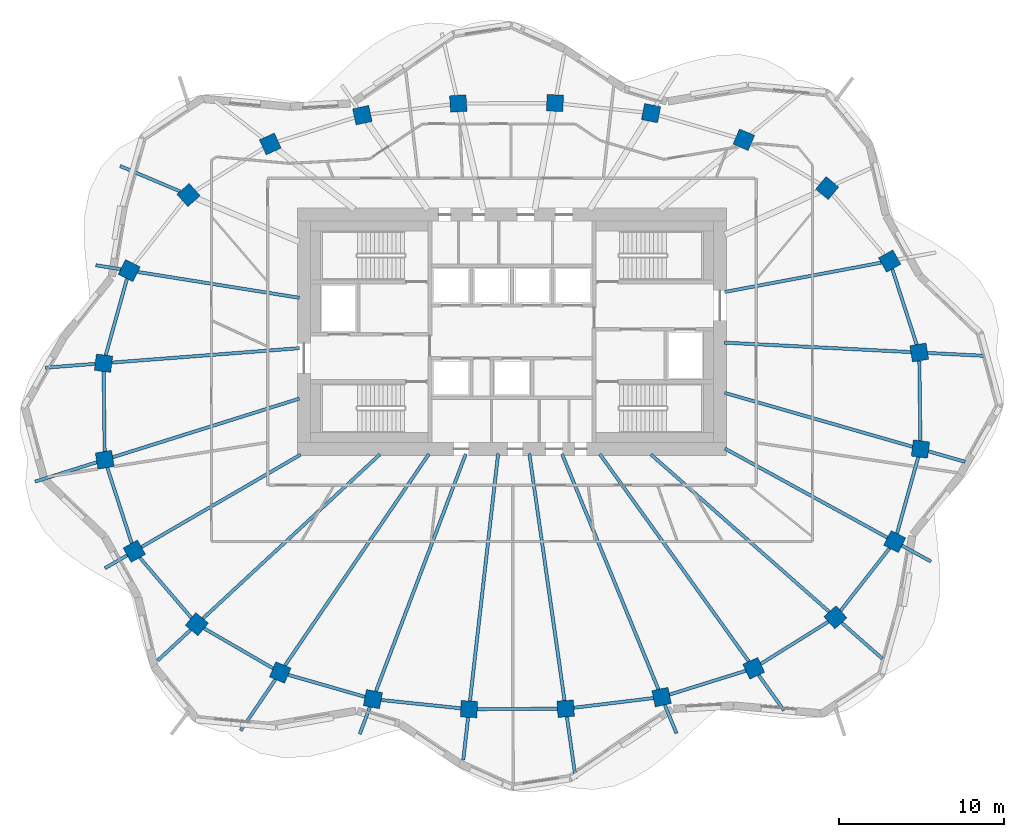
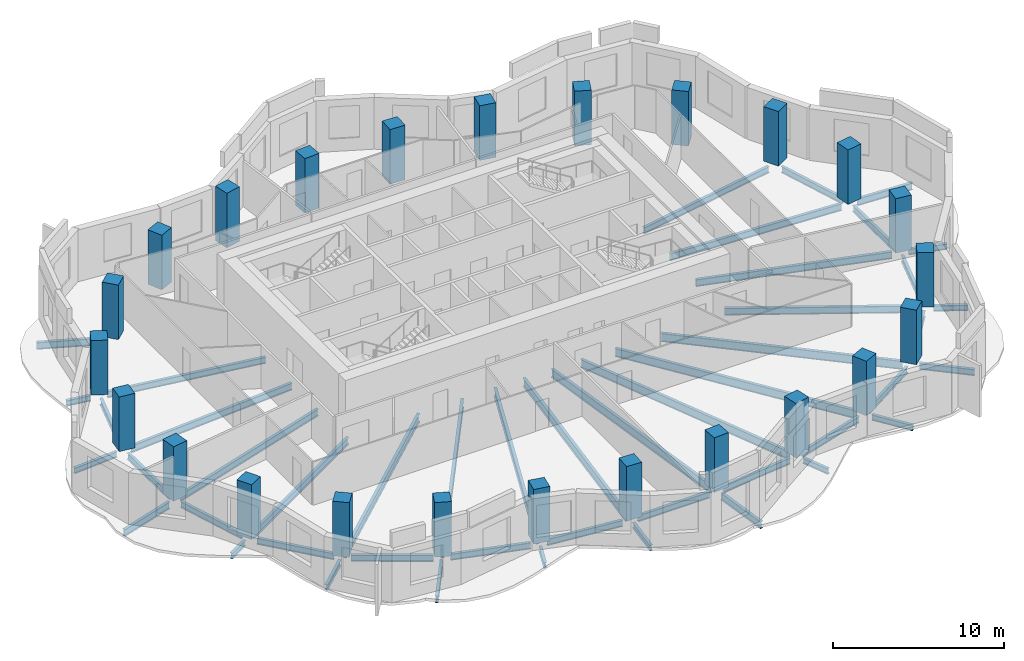
# One storey, part 1 of 9: 47 beams, 24 columns.
"""IFC4 building model written with IfcOpenShell, lengths in metres."""

import ifcopenshell
import ifcopenshell.guid

model = None  # the IFC model being written
_history = None  # IfcOwnerHistory: only IFC2X3 demands one
_inside = {}  # id of a spatial element -> (the spatial element, [elements in it])
_under = {}  # id of a project, library or spatial element -> (it, [spatial elements below it])
_declared = {}  # id of a project -> (the project, [libraries it declares])
_typed = {}  # id of a type object -> (the type object, [elements of that type])
_made_of = {}  # id of a material, layer set ... -> (it, [elements and type objects made of it])


def new_model(schema):
    """Start an empty IFC model of exactly this schema.

    Asked for "IFC4X3", IfcOpenShell would pick the latest addendum, in which some entities
    have other attributes; the version numbers below select the first issue.
    IFC2X3 requires an IfcOwnerHistory on every rooted entity: one is made here for all.
    """
    global model, _history
    if schema == "IFC4X3":
        model = ifcopenshell.file(schema_version=(4, 3, 0, 0))
    else:
        model = ifcopenshell.file(schema=schema)
    _inside.clear()
    _under.clear()
    _declared.clear()
    _typed.clear()
    _made_of.clear()
    _history = None
    if model.schema == "IFC2X3":
        org = make("IfcOrganization", Name="unknown")
        user = make(
            "IfcPersonAndOrganization",
            ThePerson=make("IfcPerson", FamilyName="unknown"),
            TheOrganization=org,
        )
        app = make(
            "IfcApplication",
            ApplicationDeveloper=org,
            Version="unknown",
            ApplicationFullName="unknown",
            ApplicationIdentifier="unknown",
        )
        _history = make(
            "IfcOwnerHistory",
            OwningUser=user,
            OwningApplication=app,
            ChangeAction="ADDED",
            CreationDate=0,
        )
    return model


def make(cls, **values):
    """One entity of the class cls with the attributes given. An attribute that is None is left unset."""
    return model.create_entity(
        cls, **{name: value for name, value in values.items() if value is not None}
    )


def rooted(cls, **values):
    """An entity with a GlobalId (a new one), such as an element, a storey or a relation."""
    return make(cls, GlobalId=ifcopenshell.guid.new(), OwnerHistory=_history, **values)


def si_unit(unit_type, name, prefix=None):
    """IfcSIUnit, for example si_unit("LENGTHUNIT", "METRE", prefix="MILLI")."""
    return make("IfcSIUnit", UnitType=unit_type, Prefix=prefix, Name=name)


def assignment(units):
    """IfcUnitAssignment: the units of a project."""
    return None if units is None else make("IfcUnitAssignment", Units=units)


def point(xyz):
    """IfcCartesianPoint."""
    return None if xyz is None else make("IfcCartesianPoint", Coordinates=xyz)


def direction(xyz):
    """IfcDirection."""
    return None if xyz is None else make("IfcDirection", DirectionRatios=xyz)


def frame(location, z_axis=None, x_axis=None):
    """IfcAxis2Placement3D, a coordinate frame: its origin and axes. An axis left out is left unset."""
    return make(
        "IfcAxis2Placement3D",
        Location=point(location),
        Axis=direction(z_axis),
        RefDirection=direction(x_axis),
    )


def frame_2d(location, x_axis=None):
    """IfcAxis2Placement2D, a coordinate frame in the plane: its origin and x axis."""
    return make(
        "IfcAxis2Placement2D", Location=point(location), RefDirection=direction(x_axis)
    )


def origin():
    """The frame at (0, 0, 0) with its axes left unset."""
    return frame((0.0, 0.0, 0.0))


def origin_2d():
    """The frame at (0, 0) in the plane with its x axis left unset."""
    return frame_2d((0.0, 0.0))


def place(relative_to, where):
    """IfcLocalPlacement: puts the frame where relative to a parent placement (None: the world)."""
    return make(
        "IfcLocalPlacement", PlacementRelTo=relative_to, RelativePlacement=where
    )


def context(
    kind, dimensions, precision=None, world=None, true_north=None, identifier=None
):
    """IfcGeometricRepresentationContext, for example the 3D "Model" context."""
    return make(
        "IfcGeometricRepresentationContext",
        ContextIdentifier=identifier,
        ContextType=kind,
        CoordinateSpaceDimension=dimensions,
        Precision=precision,
        WorldCoordinateSystem=world,
        TrueNorth=true_north,
    )


def subcontext(parent, identifier, kind, view, scale=None):
    """IfcGeometricRepresentationSubContext, for example "Body" below "Model"."""
    return make(
        "IfcGeometricRepresentationSubContext",
        ContextIdentifier=identifier,
        ContextType=kind,
        ParentContext=parent,
        TargetScale=scale,
        TargetView=view,
    )


def project(units=None, contexts=None):
    """IfcProject with its units and contexts."""
    return rooted(
        "IfcProject",
        Name="project",
        RepresentationContexts=contexts,
        UnitsInContext=assignment(units),
    )


def spatial(cls, under=None, at=None, **own):
    """A site, building, storey or space (cls), placed at a placement, below another one or the project."""
    s = rooted(cls, ObjectPlacement=at, **own)
    if under is not None:
        _under.setdefault(under.id(), (under, []))[1].append(s)
    return s


def profile(cls, at=None, kind="AREA", **sizes):
    """A parametric profile (cls). Its sizes go by their IFC names, for example OverallWidth=200.0."""
    return make(cls, ProfileType=kind, Position=at, **sizes)


def rectangle(**sizes):
    """IfcRectangleProfileDef."""
    return profile("IfcRectangleProfileDef", **sizes)


def i_section(**sizes):
    """IfcIShapeProfileDef."""
    return profile("IfcIShapeProfileDef", **sizes)


def extrude(swept, where, along, depth):
    """IfcExtrudedAreaSolid: the profile swept, set in the frame where, extruded along a direction by depth."""
    return make(
        "IfcExtrudedAreaSolid",
        SweptArea=swept,
        Position=where,
        ExtrudedDirection=direction(along),
        Depth=depth,
    )


def shape(context_of_items, identifier, shape_type, items):
    """IfcShapeRepresentation: the items that make up one representation, for example the "Body"."""
    return make(
        "IfcShapeRepresentation",
        ContextOfItems=context_of_items,
        RepresentationIdentifier=identifier,
        RepresentationType=shape_type,
        Items=items,
    )


def material(Name=None, Category=None):
    """IfcMaterial."""
    return make("IfcMaterial", Name=Name, Category=Category)


def material_profile(
    of_material, cross_section, Name=None, Category=None, Priority=None
):
    """IfcMaterialProfile: a cross section and its material."""
    return make(
        "IfcMaterialProfile",
        Name=Name,
        Material=of_material,
        Profile=cross_section,
        Priority=Priority,
        Category=Category,
    )


def profile_set(profiles, Name=None, composite=None):
    """IfcMaterialProfileSet."""
    return make(
        "IfcMaterialProfileSet",
        Name=Name,
        MaterialProfiles=profiles,
        CompositeProfile=composite,
    )


def made_of(thing, what):
    """Note that an element or type object is made of a material, layer set ...; save() writes the relation."""
    if what is not None:
        _made_of.setdefault(what.id(), (what, []))[1].append(thing)
    return thing


def type_object(cls, material=None, **own):
    """A type object (cls), such as IfcWallType, which elements share."""
    return made_of(rooted(cls, **own), material)


def element(
    cls,
    number,
    at=None,
    inside=None,
    cuts=None,
    type_object=None,
    material=None,
    context=None,
    identifier="Body",
    shape_type=None,
    held_by="IfcProductDefinitionShape",
    body=None,
    shapes=None,
    **own,
):
    """One element of the class cls, such as IfcWall. Its Tag is "e" and its number.

    at: its placement. inside: the storey or other place that contains it. cuts: it is an
    opening in that element (IfcRelVoidsElement). A single representation is given by context,
    identifier, shape_type and body (its items); several are given by shapes. held_by: the class
    of the entity that holds the representations. save() writes the other relations.
    """
    e = rooted(cls, Tag="e%d" % number, ObjectPlacement=at, **own)
    if body is not None:
        shapes = [shape(context, identifier, shape_type, body)]
    if shapes is not None:
        e.Representation = make(held_by, Representations=shapes)
    if inside is not None:
        _inside.setdefault(inside.id(), (inside, []))[1].append(e)
    if cuts is not None:
        rooted(
            "IfcRelVoidsElement", RelatingBuildingElement=cuts, RelatedOpeningElement=e
        )
    if type_object is not None:
        _typed.setdefault(type_object.id(), (type_object, []))[1].append(e)
    return made_of(e, material)


def aggregate(whole, parts):
    """IfcRelAggregates: a whole, such as a stair, and the parts it consists of."""
    return rooted("IfcRelAggregates", RelatingObject=whole, RelatedObjects=parts)


def save(model, path):
    """Write the relations noted so far, then the file.

    IfcRelAggregates (storeys below a building ...), IfcRelContainedInSpatialStructure (elements
    in a storey), IfcRelDefinesByType, IfcRelAssociatesMaterial and IfcRelDeclares: one each for
    every whole, place, type object, material and project.
    """
    for whole, parts in _under.values():
        aggregate(whole, parts)
    for where, things in _inside.values():
        rooted(
            "IfcRelContainedInSpatialStructure",
            RelatedElements=things,
            RelatingStructure=where,
        )
    for kind, things in _typed.values():
        rooted("IfcRelDefinesByType", RelatedObjects=things, RelatingType=kind)
    for what, things in _made_of.values():
        rooted("IfcRelAssociatesMaterial", RelatedObjects=things, RelatingMaterial=what)
    for by, libraries in _declared.values():
        rooted("IfcRelDeclares", RelatingContext=by, RelatedDefinitions=libraries)
    model.write(path)


model = new_model("IFC4")

# Units and contexts
model_context = context("Model", 3, precision=1e-05, world=origin(), true_north=direction((0.0, 1.0)))
body_context = subcontext(model_context, "Body", "Model", "MODEL_VIEW")
ifc_project = project(units=[si_unit("LENGTHUNIT", "METRE"), si_unit("AREAUNIT", "SQUARE_METRE"), si_unit("VOLUMEUNIT", "CUBIC_METRE"), si_unit("PLANEANGLEUNIT", "RADIAN"), si_unit("MASSUNIT", "GRAM", prefix="KILO")], contexts=[model_context])

# Site, building, storey
site_placement = place(None, origin())
site = spatial("IfcSite", under=ifc_project, at=site_placement, CompositionType="ELEMENT")
building_placement = place(site_placement, origin())
building = spatial("IfcBuilding", under=site, at=building_placement, Name="Rubra Terraces Tower", CompositionType="ELEMENT")
storey_placement = place(building_placement, frame((0.0, 0.0, 229.199951171875)))
storey = spatial("IfcBuildingStorey", under=building, at=storey_placement, Name="L56", CompositionType="ELEMENT", Elevation=229.199951171875)

# Columns
ifc_material_1 = material(Name="Concrete C50", Category="concrete")
ifc_material_profile_1 = material_profile(ifc_material_1, rectangle(XDim=1.0, YDim=1.0, at=origin_2d()), Name="RC 1000x1000")
ifc_profile_set_1 = profile_set([ifc_material_profile_1], Name="Concrete C50")
column_type = type_object("IfcColumnType", Name="RING COLUMN RC 1000x1000 C50", PredefinedType="COLUMN", material=ifc_profile_set_1)
for number, where, z_axis, x_axis, name in (
    (1, (24.6689453125, 3.248046875, 0.0), (0.0, 0.0, 1.0), (-0.161559167715, 0.986863027642, 0.0), "column-L56-ring-01"),
    (2, (22.87890625, 8.787109375, 0.0), (0.0, 0.0, 1.0), (-0.48852601316, 0.872549330678, 0.0), "column-L56-ring-02"),
    (3, (19.092041015625, 13.208984375, 0.0), (0.0, 0.0, 1.0), (-0.76886986222, 0.63940529789, 0.0), "column-L56-ring-03"),
    (4, (14.0419921875, 16.135986328125, 0.0), (0.0, 0.0, 1.0), (-0.920167856842, 0.391524092789, 0.0), "column-L56-ring-04"),
    (5, (8.422119140625, 17.7490234375, 0.0), (0.0, 0.0, 1.0), (-0.981654668733, 0.19066754143, 0.0), "column-L56-ring-05"),
    (6, (2.60205078125, 18.35791015625, 0.0), (0.0, 0.0, 1.0), (-0.998764256028, 0.049698700995, 0.0), "column-L56-ring-06"),
    (7, (-3.25390625, 18.330078125, 0.0), (0.0, 0.0, 1.0), (-0.998031548759, -0.062713855578, 0.0), "column-L56-ring-07"),
    (8, (-9.06298828125, 17.625, 0.0), (0.0, 0.0, 1.0), (-0.977652674797, -0.210226657352, 0.0), "column-L56-ring-08"),
    (9, (-14.64306640625, 15.881103515625, 0.0), (0.0, 0.0, 1.0), (-0.908778580451, -0.417278673927, 0.0), "column-L56-ring-09"),
    (10, (-19.593017578125, 12.7900390625, 0.0), (0.0, 0.0, 1.0), (-0.744021317198, -0.668155879683, 0.0), "column-L56-ring-10"),
    (11, (-23.18505859375, 8.2099609375, 0.0), (0.0, 0.0, 1.0), (-0.451027931402, -0.892509834733, 0.0), "column-L56-ring-11"),
    (12, (-24.742919921875, 2.59912109375, 0.0), (0.0, 0.0, 1.0), (-0.128443684554, -0.991716804283, 0.0), "column-L56-ring-12"),
    (13, (-24.6689453125, -3.248046875, 0.0), (0.0, 0.0, 1.0), (0.161559167715, -0.986863027642, 0.0), "column-L56-ring-13"),
    (14, (-22.87890625, -8.787109375, 0.0), (0.0, 0.0, 1.0), (0.48852601316, -0.872549330678, 0.0), "column-L56-ring-14"),
    (15, (-19.092041015625, -13.208984375, 0.0), (0.0, 0.0, 1.0), (0.76886986222, -0.63940529789, 0.0), "column-L56-ring-15"),
    (16, (-14.0419921875, -16.135986328125, 0.0), (0.0, 0.0, 1.0), (0.920167856842, -0.391524092789, 0.0), "column-L56-ring-16"),
    (17, (-8.422119140625, -17.7490234375, 0.0), (0.0, 0.0, 1.0), (0.981654668733, -0.19066754143, 0.0), "column-L56-ring-17"),
    (18, (-2.60205078125, -18.35791015625, 0.0), (0.0, 0.0, 1.0), (0.998764256028, -0.049698700995, 0.0), "column-L56-ring-18"),
    (19, (3.25390625, -18.330078125, 0.0), (0.0, 0.0, 1.0), (0.998031548759, 0.062713855578, 0.0), "column-L56-ring-19"),
    (20, (9.06298828125, -17.625, 0.0), (0.0, 0.0, 1.0), (0.977652674797, 0.210226657352, 0.0), "column-L56-ring-20"),
    (21, (14.64306640625, -15.881103515625, 0.0), (0.0, 0.0, 1.0), (0.908778580451, 0.417278673927, 0.0), "column-L56-ring-21"),
    (22, (19.593017578125, -12.7900390625, 0.0), (0.0, 0.0, 1.0), (0.744021317198, 0.668155879683, 0.0), "column-L56-ring-22"),
    (23, (23.18505859375, -8.2099609375, 0.0), (0.0, 0.0, 1.0), (0.451027931402, 0.892509834733, 0.0), "column-L56-ring-23"),
    (24, (24.742919921875, -2.59912109375, 0.0), (0.0, 0.0, 1.0), (0.128443684554, 0.991716804283, 0.0), "column-L56-ring-24"),
):
    element("IfcColumn", number, at=place(storey_placement, frame(where, z_axis=z_axis, x_axis=x_axis)), inside=storey, type_object=column_type, Name=name, PredefinedType="COLUMN", context=body_context, shape_type="SweptSolid", body=[
        extrude(rectangle(XDim=1.0, YDim=1.0, at=origin_2d()), origin(), (0.0, 0.0, 1.0), 3.900146484375),
    ])

# Beams
ifc_material_2 = material(Name="Steel Q355B", Category="steel")
ifc_material_profile_2 = material_profile(ifc_material_2, i_section(OverallWidth=0.199951171875, OverallDepth=0.39990234375, WebThickness=0.008056640625, FlangeThickness=0.012939453125, at=origin_2d()), Name="HN 400x200x8x13")
ifc_profile_set_2 = profile_set([ifc_material_profile_2], Name="Steel Q355B")
beam_type_1 = type_object("IfcBeamType", Name="CANTILEVER BEAM HN 400x200x8x13", PredefinedType="BEAM", material=ifc_profile_set_2)
beam_1_placement = place(storey_placement, frame((-23.702880859375, 8.29296875, -0.39990234375), z_axis=(-0.987457595878, 0.15788443984, 0.0), x_axis=(-0.15788443984, -0.987457595878, 0.0)))
element("IfcBeam", 25, at=beam_1_placement, inside=storey, type_object=beam_type_1, Name="beam-L56-cant-11", PredefinedType="BEAM", context=body_context, shape_type="SweptSolid", body=[
    extrude(i_section(OverallWidth=0.199951171875, OverallDepth=0.39990234375, WebThickness=0.008056640625, FlangeThickness=0.012939453125, at=origin_2d()), origin(), (0.0, 0.0, 1.0), 1.526123046875),
])
beam_2_placement = place(storey_placement, frame((-25.251953125, 2.56005859375, -0.39990234375), z_axis=(-0.997072601127, -0.076460630923, 0.0), x_axis=(0.076460630923, -0.997072601127, 0.0)))
element("IfcBeam", 26, at=beam_2_placement, inside=storey, type_object=beam_type_1, Name="beam-L56-cant-12", PredefinedType="BEAM", context=body_context, shape_type="SweptSolid", body=[
    extrude(i_section(OverallWidth=0.199951171875, OverallDepth=0.39990234375, WebThickness=0.008056640625, FlangeThickness=0.012939453125, at=origin_2d()), origin(), (0.0, 0.0, 1.0), 3.0078125),
])
beam_3_placement = place(storey_placement, frame((-23.31103515625, -9.0380859375, -0.39990234375), z_axis=(-0.864659295888, -0.502358738387, 0.0), x_axis=(0.502358738387, -0.864659295888, 0.0)))
element("IfcBeam", 27, at=beam_3_placement, inside=storey, type_object=beam_type_1, Name="beam-L56-cant-14", PredefinedType="BEAM", context=body_context, shape_type="SweptSolid", body=[
    extrude(i_section(OverallWidth=0.199951171875, OverallDepth=0.39990234375, WebThickness=0.008056640625, FlangeThickness=0.012939453125, at=origin_2d()), origin(), (0.0, 0.0, 1.0), 1.556640625),
])
beam_4_placement = place(storey_placement, frame((-19.4619140625, -13.552001953125, -0.39990234375), z_axis=(-0.733087511933, -0.680134324856, 0.0), x_axis=(0.680134324856, -0.733087511933, 0.0)))
element("IfcBeam", 28, at=beam_4_placement, inside=storey, type_object=beam_type_1, Name="beam-L56-cant-15", PredefinedType="BEAM", context=body_context, shape_type="SweptSolid", body=[
    extrude(i_section(OverallWidth=0.199951171875, OverallDepth=0.39990234375, WebThickness=0.008056640625, FlangeThickness=0.012939453125, at=origin_2d()), origin(), (0.0, 0.0, 1.0), 2.72021484375),
])
beam_5_placement = place(storey_placement, frame((-8.60205078125, -18.222900390625, -0.39990234375), z_axis=(-0.353652069822, -0.935377043502, 0.0), x_axis=(0.935377043502, -0.353652069822, 0.0)))
element("IfcBeam", 29, at=beam_5_placement, inside=storey, type_object=beam_type_1, Name="beam-L56-cant-17", PredefinedType="BEAM", context=body_context, shape_type="SweptSolid", body=[
    extrude(i_section(OverallWidth=0.199951171875, OverallDepth=0.39990234375, WebThickness=0.008056640625, FlangeThickness=0.012939453125, at=origin_2d()), origin(), (0.0, 0.0, 1.0), 1.755615234375),
])
beam_6_placement = place(storey_placement, frame((-2.658935546875, -18.85595703125, -0.39990234375), z_axis=(-0.112928755401, -0.993603087859, 0.0), x_axis=(0.993603087859, -0.112928755401, 0.0)))
element("IfcBeam", 30, at=beam_6_placement, inside=storey, type_object=beam_type_1, Name="beam-L56-cant-18", PredefinedType="BEAM", context=body_context, shape_type="SweptSolid", body=[
    extrude(i_section(OverallWidth=0.199951171875, OverallDepth=0.39990234375, WebThickness=0.008056640625, FlangeThickness=0.012939453125, at=origin_2d()), origin(), (0.0, 0.0, 1.0), 2.585693359375),
])
beam_7_placement = place(storey_placement, frame((9.256103515625, -18.094970703125, -0.39990234375), z_axis=(0.37867364733, -0.925530263588, 0.0), x_axis=(0.925530263588, 0.37867364733, 0.0)))
element("IfcBeam", 31, at=beam_7_placement, inside=storey, type_object=beam_type_1, Name="beam-L56-cant-20", PredefinedType="BEAM", context=body_context, shape_type="SweptSolid", body=[
    extrude(i_section(OverallWidth=0.199951171875, OverallDepth=0.39990234375, WebThickness=0.008056640625, FlangeThickness=0.012939453125, at=origin_2d()), origin(), (0.0, 0.0, 1.0), 1.864013671875),
])
beam_8_placement = place(storey_placement, frame((14.93994140625, -16.294921875, -0.39990234375), z_axis=(0.583494905514, -0.812116799013, 0.0), x_axis=(0.812116799013, 0.583494905514, 0.0)))
element("IfcBeam", 32, at=beam_8_placement, inside=storey, type_object=beam_type_1, Name="beam-L56-cant-21", PredefinedType="BEAM", context=body_context, shape_type="SweptSolid", body=[
    extrude(i_section(OverallWidth=0.199951171875, OverallDepth=0.39990234375, WebThickness=0.008056640625, FlangeThickness=0.012939453125, at=origin_2d()), origin(), (0.0, 0.0, 1.0), 2.6376953125),
])
beam_9_placement = place(storey_placement, frame((23.6240234375, -8.449951171875, -0.39990234375), z_axis=(0.876885480476, -0.480699338601, 0.0), x_axis=(0.480699338601, 0.876885480476, 0.0)))
element("IfcBeam", 33, at=beam_9_placement, inside=storey, type_object=beam_type_1, Name="beam-L56-cant-23", PredefinedType="BEAM", context=body_context, shape_type="SweptSolid", body=[
    extrude(i_section(OverallWidth=0.199951171875, OverallDepth=0.39990234375, WebThickness=0.008056640625, FlangeThickness=0.012939453125, at=origin_2d()), origin(), (0.0, 0.0, 1.0), 1.9990234375),
])
beam_10_placement = place(storey_placement, frame((25.22900390625, -2.738037109375, -0.39990234375), z_axis=(0.961119526587, -0.276132677554, 0.0), x_axis=(0.276132677554, 0.961119526587, 0.0)))
element("IfcBeam", 34, at=beam_10_placement, inside=storey, type_object=beam_type_1, Name="beam-L56-cant-24", PredefinedType="BEAM", context=body_context, shape_type="SweptSolid", body=[
    extrude(i_section(OverallWidth=0.199951171875, OverallDepth=0.39990234375, WebThickness=0.008056640625, FlangeThickness=0.012939453125, at=origin_2d()), origin(), (0.0, 0.0, 1.0), 2.306640625),
])
ifc_material_profile_3 = material_profile(ifc_material_2, i_section(OverallWidth=0.198974609375, OverallDepth=0.446044921875, WebThickness=0.008056640625, FlangeThickness=0.011962890625, at=origin_2d()), Name="HN 446x199x8x12")
ifc_profile_set_3 = profile_set([ifc_material_profile_3], Name="Steel Q355B")
beam_type_2 = type_object("IfcBeamType", Name="CANTILEVER BEAM HN 446x199x8x12", PredefinedType="BEAM", material=ifc_profile_set_3)
beam_11_placement = place(storey_placement, frame((19.969970703125, -13.123046875, -0.4228515625), z_axis=(0.749902745466, -0.661548087702, 0.0), x_axis=(0.661548087702, 0.749902745466, 0.0)))
element("IfcBeam", 35, at=beam_11_placement, inside=storey, type_object=beam_type_2, Name="beam-L56-cant-22", PredefinedType="BEAM", context=body_context, shape_type="SweptSolid", body=[
    extrude(i_section(OverallWidth=0.198974609375, OverallDepth=0.446044921875, WebThickness=0.008056640625, FlangeThickness=0.011962890625, at=origin_2d()), origin(), (0.0, 0.0, 1.0), 3.293701171875),
])
ifc_material_profile_4 = material_profile(ifc_material_2, i_section(OverallWidth=0.198974609375, OverallDepth=0.49609375, WebThickness=0.009033203125, FlangeThickness=0.013916015625, at=origin_2d()), Name="HN 496x199x9x14")
ifc_profile_set_4 = profile_set([ifc_material_profile_4], Name="Steel Q355B")
beam_type_3 = type_object("IfcBeamType", Name="CANTILEVER BEAM HN 496x199x9x14", PredefinedType="BEAM", material=ifc_profile_set_4)
beam_12_placement = place(storey_placement, frame((25.179931640625, 3.221923828125, -0.447998046875), z_axis=(0.998713760082, -0.050703307804, 0.0), x_axis=(0.050703307804, 0.998713760082, 0.0)))
element("IfcBeam", 36, at=beam_12_placement, inside=storey, type_object=beam_type_3, Name="beam-L56-cant-01", PredefinedType="BEAM", context=body_context, shape_type="SweptSolid", body=[
    extrude(i_section(OverallWidth=0.198974609375, OverallDepth=0.49609375, WebThickness=0.009033203125, FlangeThickness=0.013916015625, at=origin_2d()), origin(), (0.0, 0.0, 1.0), 3.625732421875),
])
beam_13_placement = place(storey_placement, frame((-20.10205078125, 13.0048828125, -0.447998046875), z_axis=(-0.920935678628, 0.389714608181, 0.0), x_axis=(-0.389714608181, -0.920935678628, 0.0)))
element("IfcBeam", 37, at=beam_13_placement, inside=storey, type_object=beam_type_3, Name="beam-L56-cant-10", PredefinedType="BEAM", context=body_context, shape_type="SweptSolid", body=[
    extrude(i_section(OverallWidth=0.198974609375, OverallDepth=0.49609375, WebThickness=0.009033203125, FlangeThickness=0.013916015625, at=origin_2d()), origin(), (0.0, 0.0, 1.0), 3.94921875),
])
beam_14_placement = place(storey_placement, frame((-25.15087890625, -3.39892578125, -0.447998046875), z_axis=(-0.954029392864, -0.299713058693, 0.0), x_axis=(0.299713058693, -0.954029392864, 0.0)))
element("IfcBeam", 38, at=beam_14_placement, inside=storey, type_object=beam_type_3, Name="beam-L56-cant-13", PredefinedType="BEAM", context=body_context, shape_type="SweptSolid", body=[
    extrude(i_section(OverallWidth=0.198974609375, OverallDepth=0.49609375, WebThickness=0.009033203125, FlangeThickness=0.013916015625, at=origin_2d()), origin(), (0.0, 0.0, 1.0), 3.9140625),
])
beam_15_placement = place(storey_placement, frame((-14.3291015625, -16.556884765625, -0.447998046875), z_axis=(-0.562402665117, -0.826863496757, 0.0), x_axis=(0.826863496757, -0.562402665117, 0.0)))
element("IfcBeam", 39, at=beam_15_placement, inside=storey, type_object=beam_type_3, Name="beam-L56-cant-16", PredefinedType="BEAM", context=body_context, shape_type="SweptSolid", body=[
    extrude(i_section(OverallWidth=0.198974609375, OverallDepth=0.49609375, WebThickness=0.009033203125, FlangeThickness=0.013916015625, at=origin_2d()), origin(), (0.0, 0.0, 1.0), 3.748046875),
])
beam_16_placement = place(storey_placement, frame((3.324951171875, -18.826904296875, -0.447998046875), z_axis=(0.140976698225, -0.990012914339, 0.0), x_axis=(0.990012914339, 0.140976698225, 0.0)))
element("IfcBeam", 40, at=beam_16_placement, inside=storey, type_object=beam_type_3, Name="beam-L56-cant-19", PredefinedType="BEAM", context=body_context, shape_type="SweptSolid", body=[
    extrude(i_section(OverallWidth=0.198974609375, OverallDepth=0.49609375, WebThickness=0.009033203125, FlangeThickness=0.013916015625, at=origin_2d()), origin(), (0.0, 0.0, 1.0), 3.7666015625),
])
ifc_material_profile_5 = material_profile(ifc_material_2, i_section(OverallWidth=0.198974609375, OverallDepth=0.446044921875, WebThickness=0.008056640625, FlangeThickness=0.011962890625, at=origin_2d()), Name="HN 446x199x8x12")
ifc_profile_set_5 = profile_set([ifc_material_profile_5], Name="Steel Q355B")
beam_type_4 = type_object("IfcBeamType", Name="FLOOR BEAM HN 446x199x8x12", PredefinedType="BEAM", material=ifc_profile_set_5)
beam_17_placement = place(storey_placement, frame((22.360107421875, 8.68994140625, -0.4228515625), z_axis=(-0.982895681695, -0.18416318553, 0.0), x_axis=(0.18416318553, -0.982895681695, 0.0)))
element("IfcBeam", 41, at=beam_17_placement, inside=storey, type_object=beam_type_4, Name="beam-L56-floor-02", PredefinedType="BEAM", context=body_context, shape_type="SweptSolid", body=[
    extrude(i_section(OverallWidth=0.198974609375, OverallDepth=0.446044921875, WebThickness=0.008056640625, FlangeThickness=0.011962890625, at=origin_2d()), origin(), (0.0, 0.0, 1.0), 9.64306640625),
])
beam_18_placement = place(storey_placement, frame((-22.6669921875, 8.126953125, -0.4228515625), z_axis=(0.987435404133, -0.158023171289, 0.0), x_axis=(0.158023171289, 0.987435404133, 0.0)))
element("IfcBeam", 42, at=beam_18_placement, inside=storey, type_object=beam_type_4, Name="beam-L56-floor-11", PredefinedType="BEAM", context=body_context, shape_type="SweptSolid", body=[
    extrude(i_section(OverallWidth=0.198974609375, OverallDepth=0.446044921875, WebThickness=0.008056640625, FlangeThickness=0.011962890625, at=origin_2d()), origin(), (0.0, 0.0, 1.0), 9.909423828125),
])
ifc_material_profile_6 = material_profile(ifc_material_2, i_section(OverallWidth=0.198974609375, OverallDepth=0.49609375, WebThickness=0.009033203125, FlangeThickness=0.013916015625, at=origin_2d()), Name="HN 496x199x9x14")
ifc_profile_set_6 = profile_set([ifc_material_profile_6], Name="Steel Q355B")
beam_type_5 = type_object("IfcBeamType", Name="FLOOR BEAM HN 496x199x9x14", PredefinedType="BEAM", material=ifc_profile_set_6)
beam_19_placement = place(storey_placement, frame((24.157958984375, 3.27392578125, -0.447998046875), z_axis=(-0.998716228561, 0.050654662269, 0.0), x_axis=(-0.050654662269, -0.998716228561, 0.0)))
element("IfcBeam", 43, at=beam_19_placement, inside=storey, type_object=beam_type_5, Name="beam-L56-floor-01", PredefinedType="BEAM", context=body_context, shape_type="SweptSolid", body=[
    extrude(i_section(OverallWidth=0.198974609375, OverallDepth=0.49609375, WebThickness=0.009033203125, FlangeThickness=0.013916015625, at=origin_2d()), origin(), (0.0, 0.0, 1.0), 11.29248046875),
])
beam_20_placement = place(storey_placement, frame((-24.23388671875, 2.637939453125, -0.447998046875), z_axis=(0.997063306908, 0.076581734234, 0.0), x_axis=(-0.076581734234, 0.997063306908, 0.0)))
element("IfcBeam", 44, at=beam_20_placement, inside=storey, type_object=beam_type_5, Name="beam-L56-floor-12", PredefinedType="BEAM", context=body_context, shape_type="SweptSolid", body=[
    extrude(i_section(OverallWidth=0.198974609375, OverallDepth=0.49609375, WebThickness=0.009033203125, FlangeThickness=0.013916015625, at=origin_2d()), origin(), (0.0, 0.0, 1.0), 11.387451171875),
])
beam_21_placement = place(storey_placement, frame((-24.18701171875, -3.096923828125, -0.447998046875), z_axis=(0.954040699023, 0.299677067204, 0.0), x_axis=(-0.299677067204, 0.954040699023, 0.0)))
element("IfcBeam", 45, at=beam_21_placement, inside=storey, type_object=beam_type_5, Name="beam-L56-floor-13", PredefinedType="BEAM", context=body_context, shape_type="SweptSolid", body=[
    extrude(i_section(OverallWidth=0.198974609375, OverallDepth=0.49609375, WebThickness=0.009033203125, FlangeThickness=0.013916015625, at=origin_2d()), origin(), (0.0, 0.0, 1.0), 11.845458984375),
])
beam_22_placement = place(storey_placement, frame((-22.447021484375, -8.535888671875, -0.447998046875), z_axis=(0.864755491844, 0.502193129508, 0.0), x_axis=(-0.502193129508, 0.864755491844, 0.0)))
element("IfcBeam", 46, at=beam_22_placement, inside=storey, type_object=beam_type_5, Name="beam-L56-floor-14", PredefinedType="BEAM", context=body_context, shape_type="SweptSolid", body=[
    extrude(i_section(OverallWidth=0.198974609375, OverallDepth=0.49609375, WebThickness=0.009033203125, FlangeThickness=0.013916015625, at=origin_2d()), origin(), (0.0, 0.0, 1.0), 11.14306640625),
])
beam_23_placement = place(storey_placement, frame((22.74609375, -7.969970703125, -0.447998046875), z_axis=(-0.876862055903, 0.480742066932, 0.0), x_axis=(-0.480742066932, -0.876862055903, 0.0)))
element("IfcBeam", 47, at=beam_23_placement, inside=storey, type_object=beam_type_5, Name="beam-L56-floor-23", PredefinedType="BEAM", context=body_context, shape_type="SweptSolid", body=[
    extrude(i_section(OverallWidth=0.198974609375, OverallDepth=0.49609375, WebThickness=0.009033203125, FlangeThickness=0.013916015625, at=origin_2d()), origin(), (0.0, 0.0, 1.0), 11.234375),
])
beam_24_placement = place(storey_placement, frame((24.257080078125, -2.4599609375, -0.447998046875), z_axis=(-0.961215754667, 0.275797521707, 0.0), x_axis=(-0.275797521707, -0.961215754667, 0.0)))
element("IfcBeam", 48, at=beam_24_placement, inside=storey, type_object=beam_type_5, Name="beam-L56-floor-24", PredefinedType="BEAM", context=body_context, shape_type="SweptSolid", body=[
    extrude(i_section(OverallWidth=0.198974609375, OverallDepth=0.49609375, WebThickness=0.009033203125, FlangeThickness=0.013916015625, at=origin_2d()), origin(), (0.0, 0.0, 1.0), 11.830810546875),
])
ifc_material_profile_7 = material_profile(ifc_material_2, i_section(OverallWidth=0.198974609375, OverallDepth=0.595947265625, WebThickness=0.010009765625, FlangeThickness=0.014892578125, at=origin_2d()), Name="HN 596x199x10x15")
ifc_profile_set_7 = profile_set([ifc_material_profile_7], Name="Steel Q355B")
beam_type_6 = type_object("IfcBeamType", Name="FLOOR BEAM HN 596x199x10x15", PredefinedType="BEAM", material=ifc_profile_set_7)
beam_25_placement = place(storey_placement, frame((-18.721923828125, -12.865966796875, -0.498046875), z_axis=(0.733130458484, 0.680088031687, 0.0), x_axis=(-0.680088031687, 0.733130458484, 0.0)))
element("IfcBeam", 49, at=beam_25_placement, inside=storey, type_object=beam_type_6, Name="beam-L56-floor-15", PredefinedType="BEAM", context=body_context, shape_type="SweptSolid", body=[
    extrude(i_section(OverallWidth=0.198974609375, OverallDepth=0.595947265625, WebThickness=0.010009765625, FlangeThickness=0.014892578125, at=origin_2d()), origin(), (0.0, 0.0, 1.0), 14.62744140625),
])
beam_26_placement = place(storey_placement, frame((-13.7548828125, -15.715087890625, -0.498046875), z_axis=(0.562545242124, 0.826766503049, 0.0), x_axis=(-0.826766503049, 0.562545242124, 0.0)))
element("IfcBeam", 50, at=beam_26_placement, inside=storey, type_object=beam_type_6, Name="beam-L56-floor-16", PredefinedType="BEAM", context=body_context, shape_type="SweptSolid", body=[
    extrude(i_section(OverallWidth=0.198974609375, OverallDepth=0.595947265625, WebThickness=0.010009765625, FlangeThickness=0.014892578125, at=origin_2d()), origin(), (0.0, 0.0, 1.0), 15.499267578125),
])
beam_27_placement = place(storey_placement, frame((-8.241943359375, -17.27490234375, -0.498046875), z_axis=(0.353955134415, 0.93526240319, 0.0), x_axis=(-0.93526240319, 0.353955134415, 0.0)))
element("IfcBeam", 51, at=beam_27_placement, inside=storey, type_object=beam_type_6, Name="beam-L56-floor-17", PredefinedType="BEAM", context=body_context, shape_type="SweptSolid", body=[
    extrude(i_section(OverallWidth=0.198974609375, OverallDepth=0.595947265625, WebThickness=0.010009765625, FlangeThickness=0.014892578125, at=origin_2d()), origin(), (0.0, 0.0, 1.0), 15.3828125),
])
beam_28_placement = place(storey_placement, frame((-2.544921875, -17.860107421875, -0.498046875), z_axis=(0.113084825914, 0.993585337124, 0.0), x_axis=(-0.993585337124, 0.113084825914, 0.0)))
element("IfcBeam", 52, at=beam_28_placement, inside=storey, type_object=beam_type_6, Name="beam-L56-floor-18", PredefinedType="BEAM", context=body_context, shape_type="SweptSolid", body=[
    extrude(i_section(OverallWidth=0.198974609375, OverallDepth=0.595947265625, WebThickness=0.010009765625, FlangeThickness=0.014892578125, at=origin_2d()), origin(), (0.0, 0.0, 1.0), 15.07568359375),
])
beam_29_placement = place(storey_placement, frame((3.18310546875, -17.8330078125, -0.498046875), z_axis=(-0.141104514479, 0.989994705033, 0.0), x_axis=(-0.989994705033, -0.141104514479, 0.0)))
element("IfcBeam", 53, at=beam_29_placement, inside=storey, type_object=beam_type_6, Name="beam-L56-floor-19", PredefinedType="BEAM", context=body_context, shape_type="SweptSolid", body=[
    extrude(i_section(OverallWidth=0.198974609375, OverallDepth=0.595947265625, WebThickness=0.010009765625, FlangeThickness=0.014892578125, at=origin_2d()), origin(), (0.0, 0.0, 1.0), 15.10302734375),
])
beam_30_placement = place(storey_placement, frame((8.8701171875, -17.155029296875, -0.498046875), z_axis=(-0.379015131933, 0.925390474214, 0.0), x_axis=(-0.925390474214, -0.379015131933, 0.0)))
element("IfcBeam", 54, at=beam_30_placement, inside=storey, type_object=beam_type_6, Name="beam-L56-floor-20", PredefinedType="BEAM", context=body_context, shape_type="SweptSolid", body=[
    extrude(i_section(OverallWidth=0.198974609375, OverallDepth=0.595947265625, WebThickness=0.010009765625, FlangeThickness=0.014892578125, at=origin_2d()), origin(), (0.0, 0.0, 1.0), 15.416259765625),
])
beam_31_placement = place(storey_placement, frame((14.345947265625, -15.467041015625, -0.498046875), z_axis=(-0.583528740197, 0.812092488183, 0.0), x_axis=(-0.812092488183, -0.583528740197, 0.0)))
element("IfcBeam", 55, at=beam_31_placement, inside=storey, type_object=beam_type_6, Name="beam-L56-floor-21", PredefinedType="BEAM", context=body_context, shape_type="SweptSolid", body=[
    extrude(i_section(OverallWidth=0.198974609375, OverallDepth=0.595947265625, WebThickness=0.010009765625, FlangeThickness=0.014892578125, at=origin_2d()), origin(), (0.0, 0.0, 1.0), 15.47119140625),
])
beam_32_placement = place(storey_placement, frame((19.216064453125, -12.45703125, -0.498046875), z_axis=(-0.749823025288, 0.661638444128, 0.0), x_axis=(-0.661638444128, -0.749823025288, 0.0)))
element("IfcBeam", 56, at=beam_32_placement, inside=storey, type_object=beam_type_6, Name="beam-L56-floor-22", PredefinedType="BEAM", context=body_context, shape_type="SweptSolid", body=[
    extrude(i_section(OverallWidth=0.198974609375, OverallDepth=0.595947265625, WebThickness=0.010009765625, FlangeThickness=0.014892578125, at=origin_2d()), origin(), (0.0, 0.0, 1.0), 14.412841796875),
])
ifc_material_profile_8 = material_profile(ifc_material_2, i_section(OverallWidth=0.198974609375, OverallDepth=0.446044921875, WebThickness=0.008056640625, FlangeThickness=0.011962890625, at=origin_2d()), Name="HN 446x199x8x12")
ifc_profile_set_8 = profile_set([ifc_material_profile_8], Name="Steel Q355B")
beam_type_7 = type_object("IfcBeamType", Name="SPANDREL BEAM HN 446x199x8x12", PredefinedType="SPANDREL", material=ifc_profile_set_8)
beam_33_placement = place(storey_placement, frame((24.512939453125, 3.72900390625, -0.4228515625), z_axis=(-0.307359002872, 0.951593633519, 0.0), x_axis=(-0.951593633519, -0.307359002872, 0.0)))
element("IfcBeam", 57, at=beam_33_placement, inside=storey, type_object=beam_type_7, Name="beam-L56-spandrel-01", PredefinedType="SPANDREL", context=body_context, shape_type="SweptSolid", body=[
    extrude(i_section(OverallWidth=0.198974609375, OverallDepth=0.446044921875, WebThickness=0.008056640625, FlangeThickness=0.011962890625, at=origin_2d()), origin(), (0.0, 0.0, 1.0), 4.8056640625),
])
beam_34_placement = place(storey_placement, frame((-23.321044921875, 7.718994140625, -0.4228515625), z_axis=(-0.267625533012, -0.963523001324, 0.0), x_axis=(0.963523001324, -0.267625533012, 0.0)))
element("IfcBeam", 58, at=beam_34_placement, inside=storey, type_object=beam_type_7, Name="beam-L56-spandrel-11", PredefinedType="SPANDREL", context=body_context, shape_type="SweptSolid", body=[
    extrude(i_section(OverallWidth=0.198974609375, OverallDepth=0.446044921875, WebThickness=0.008056640625, FlangeThickness=0.011962890625, at=origin_2d()), origin(), (0.0, 0.0, 1.0), 4.808349609375),
])
beam_35_placement = place(storey_placement, frame((-24.737060546875, 2.093994140625, -0.4228515625), z_axis=(0.012822047643, -0.999917794168, 0.0), x_axis=(0.999917794168, 0.012822047643, 0.0)))
element("IfcBeam", 59, at=beam_35_placement, inside=storey, type_object=beam_type_7, Name="beam-L56-spandrel-12", PredefinedType="SPANDREL", context=body_context, shape_type="SweptSolid", body=[
    extrude(i_section(OverallWidth=0.198974609375, OverallDepth=0.446044921875, WebThickness=0.008056640625, FlangeThickness=0.011962890625, at=origin_2d()), origin(), (0.0, 0.0, 1.0), 4.83642578125),
])
beam_36_placement = place(storey_placement, frame((-24.512939453125, -3.72900390625, -0.4228515625), z_axis=(0.307359002872, -0.951593633519, 0.0), x_axis=(0.951593633519, 0.307359002872, 0.0)))
element("IfcBeam", 60, at=beam_36_placement, inside=storey, type_object=beam_type_7, Name="beam-L56-spandrel-13", PredefinedType="SPANDREL", context=body_context, shape_type="SweptSolid", body=[
    extrude(i_section(OverallWidth=0.198974609375, OverallDepth=0.446044921875, WebThickness=0.008056640625, FlangeThickness=0.011962890625, at=origin_2d()), origin(), (0.0, 0.0, 1.0), 4.8056640625),
])
beam_37_placement = place(storey_placement, frame((-22.547119140625, -9.174072265625, -0.4228515625), z_axis=(0.650372836218, -0.759615148552, 0.0), x_axis=(0.759615148552, 0.650372836218, 0.0)))
element("IfcBeam", 61, at=beam_37_placement, inside=storey, type_object=beam_type_7, Name="beam-L56-spandrel-14", PredefinedType="SPANDREL", context=body_context, shape_type="SweptSolid", body=[
    extrude(i_section(OverallWidth=0.198974609375, OverallDepth=0.446044921875, WebThickness=0.008056640625, FlangeThickness=0.011962890625, at=origin_2d()), origin(), (0.0, 0.0, 1.0), 4.804931640625),
])
beam_38_placement = place(storey_placement, frame((-18.653076171875, -13.462890625, -0.4228515625), z_axis=(0.865153680787, -0.501506838059, 0.0), x_axis=(0.501506838059, 0.865153680787, 0.0)))
element("IfcBeam", 62, at=beam_38_placement, inside=storey, type_object=beam_type_7, Name="beam-L56-spandrel-15", PredefinedType="SPANDREL", context=body_context, shape_type="SweptSolid", body=[
    extrude(i_section(OverallWidth=0.198974609375, OverallDepth=0.446044921875, WebThickness=0.008056640625, FlangeThickness=0.011962890625, at=origin_2d()), origin(), (0.0, 0.0, 1.0), 4.82568359375),
])
beam_39_placement = place(storey_placement, frame((-13.55810546875, -16.27490234375, -0.4228515625), z_axis=(0.961171164323, -0.275952881621, 0.0), x_axis=(0.275952881621, 0.961171164323, 0.0)))
element("IfcBeam", 63, at=beam_39_placement, inside=storey, type_object=beam_type_7, Name="beam-L56-spandrel-16", PredefinedType="SPANDREL", context=body_context, shape_type="SweptSolid", body=[
    extrude(i_section(OverallWidth=0.198974609375, OverallDepth=0.446044921875, WebThickness=0.008056640625, FlangeThickness=0.011962890625, at=origin_2d()), origin(), (0.0, 0.0, 1.0), 4.842041015625),
])
beam_40_placement = place(storey_placement, frame((-7.923095703125, -17.801025390625, -0.4228515625), z_axis=(0.994565426955, -0.104113454971, 0.0), x_axis=(0.104113454971, 0.994565426955, 0.0)))
element("IfcBeam", 64, at=beam_40_placement, inside=storey, type_object=beam_type_7, Name="beam-L56-spandrel-17", PredefinedType="SPANDREL", context=body_context, shape_type="SweptSolid", body=[
    extrude(i_section(OverallWidth=0.198974609375, OverallDepth=0.446044921875, WebThickness=0.008056640625, FlangeThickness=0.011962890625, at=origin_2d()), origin(), (0.0, 0.0, 1.0), 4.849365234375),
])
beam_41_placement = place(storey_placement, frame((-2.10107421875, -18.35595703125, -0.4228515625), z_axis=(0.999987852299, 0.004929021704, 0.0), x_axis=(-0.004929021704, 0.999987852299, 0.0)))
element("IfcBeam", 65, at=beam_41_placement, inside=storey, type_object=beam_type_7, Name="beam-L56-spandrel-18", PredefinedType="SPANDREL", context=body_context, shape_type="SweptSolid", body=[
    extrude(i_section(OverallWidth=0.198974609375, OverallDepth=0.446044921875, WebThickness=0.008056640625, FlangeThickness=0.011962890625, at=origin_2d()), origin(), (0.0, 0.0, 1.0), 4.85400390625),
])
beam_42_placement = place(storey_placement, frame((3.7509765625, -18.27001953125, -0.4228515625), z_axis=(0.992698018573, 0.120626049929, 0.0), x_axis=(-0.120626049929, 0.992698018573, 0.0)))
element("IfcBeam", 66, at=beam_42_placement, inside=storey, type_object=beam_type_7, Name="beam-L56-spandrel-19", PredefinedType="SPANDREL", context=body_context, shape_type="SweptSolid", body=[
    extrude(i_section(OverallWidth=0.198974609375, OverallDepth=0.446044921875, WebThickness=0.008056640625, FlangeThickness=0.011962890625, at=origin_2d()), origin(), (0.0, 0.0, 1.0), 4.849365234375),
])
beam_43_placement = place(storey_placement, frame((9.5419921875, -17.47509765625, -0.4228515625), z_axis=(0.954462027342, 0.298332429282, 0.0), x_axis=(-0.298332429282, 0.954462027342, 0.0)))
element("IfcBeam", 67, at=beam_43_placement, inside=storey, type_object=beam_type_7, Name="beam-L56-spandrel-20", PredefinedType="SPANDREL", context=body_context, shape_type="SweptSolid", body=[
    extrude(i_section(OverallWidth=0.198974609375, OverallDepth=0.446044921875, WebThickness=0.008056640625, FlangeThickness=0.011962890625, at=origin_2d()), origin(), (0.0, 0.0, 1.0), 4.840576171875),
])
beam_44_placement = place(storey_placement, frame((15.071044921875, -15.614013671875, -0.4228515625), z_axis=(0.848183088492, 0.529703170083, 0.0), x_axis=(-0.529703170083, 0.848183088492, 0.0)))
element("IfcBeam", 68, at=beam_44_placement, inside=storey, type_object=beam_type_7, Name="beam-L56-spandrel-21", PredefinedType="SPANDREL", context=body_context, shape_type="SweptSolid", body=[
    extrude(i_section(OverallWidth=0.198974609375, OverallDepth=0.446044921875, WebThickness=0.008056640625, FlangeThickness=0.011962890625, at=origin_2d()), origin(), (0.0, 0.0, 1.0), 4.8232421875),
])
beam_45_placement = place(storey_placement, frame((19.906005859375, -12.39111328125, -0.4228515625), z_axis=(0.617060338015, 0.786915840004, 0.0), x_axis=(-0.786915840004, 0.617060338015, 0.0)))
element("IfcBeam", 69, at=beam_45_placement, inside=storey, type_object=beam_type_7, Name="beam-L56-spandrel-22", PredefinedType="SPANDREL", context=body_context, shape_type="SweptSolid", body=[
    extrude(i_section(OverallWidth=0.198974609375, OverallDepth=0.446044921875, WebThickness=0.008056640625, FlangeThickness=0.011962890625, at=origin_2d()), origin(), (0.0, 0.0, 1.0), 4.8037109375),
])
beam_46_placement = place(storey_placement, frame((23.321044921875, -7.718994140625, -0.4228515625), z_axis=(0.267625533012, 0.963523001324, 0.0), x_axis=(-0.963523001324, 0.267625533012, 0.0)))
element("IfcBeam", 70, at=beam_46_placement, inside=storey, type_object=beam_type_7, Name="beam-L56-spandrel-23", PredefinedType="SPANDREL", context=body_context, shape_type="SweptSolid", body=[
    extrude(i_section(OverallWidth=0.198974609375, OverallDepth=0.446044921875, WebThickness=0.008056640625, FlangeThickness=0.011962890625, at=origin_2d()), origin(), (0.0, 0.0, 1.0), 4.808349609375),
])
beam_47_placement = place(storey_placement, frame((24.737060546875, -2.093994140625, -0.4228515625), z_axis=(-0.012822047643, 0.999917794168, 0.0), x_axis=(-0.999917794168, -0.012822047643, 0.0)))
element("IfcBeam", 71, at=beam_47_placement, inside=storey, type_object=beam_type_7, Name="beam-L56-spandrel-24", PredefinedType="SPANDREL", context=body_context, shape_type="SweptSolid", body=[
    extrude(i_section(OverallWidth=0.198974609375, OverallDepth=0.446044921875, WebThickness=0.008056640625, FlangeThickness=0.011962890625, at=origin_2d()), origin(), (0.0, 0.0, 1.0), 4.83642578125),
])

save(model, "model.ifc")
